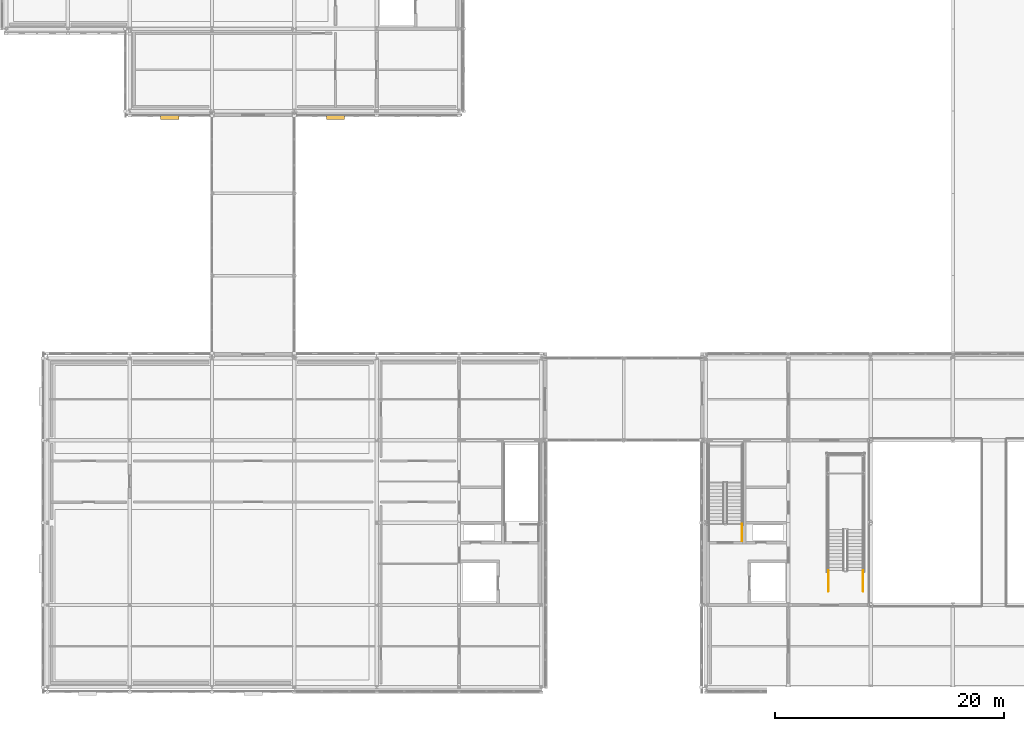
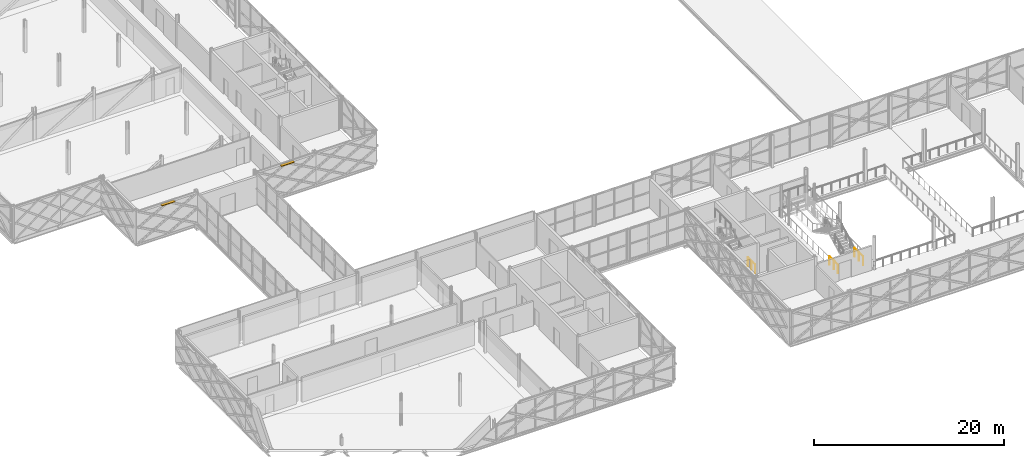
# One storey, part 118 of 126: 3 railings, 2 shading devices.
"""IFC4 building model written with IfcOpenShell, lengths in metres."""

from ifc_helpers import new_model, si_unit, direction, frame, origin, origin_2d, place, context, subcontext, project, spatial, rectangle, circle, extrude, material, type_object, element, save


model = new_model("IFC4")

# Units and contexts
model_context = context("Model", 3, precision=1e-05, world=origin(), true_north=direction((0.0, 1.0)))
body_context = subcontext(model_context, "Body", "Model", "MODEL_VIEW")
ifc_project = project(units=[si_unit("LENGTHUNIT", "METRE"), si_unit("AREAUNIT", "SQUARE_METRE"), si_unit("VOLUMEUNIT", "CUBIC_METRE"), si_unit("PLANEANGLEUNIT", "RADIAN"), si_unit("MASSUNIT", "GRAM", prefix="KILO")], contexts=[model_context])

# Site, building, storey
site_placement = place(None, origin())
site = spatial("IfcSite", under=ifc_project, at=site_placement, CompositionType="ELEMENT")
building_placement = place(site_placement, origin())
building = spatial("IfcBuilding", under=site, at=building_placement, Name="Zlatovets Crest Museum", CompositionType="ELEMENT")
storey_placement = place(building_placement, frame((0.0, 0.0, 8.699951171875)))
storey = spatial("IfcBuildingStorey", under=building, at=storey_placement, Name="L02", CompositionType="ELEMENT", Elevation=8.699951171875)

# Railings
ifc_material_1 = material(Name="Art Nouveau bronze and laminated glass atrium balustrade", Category="glass")
railing_type_1 = type_object("IfcRailingType", Name="AtriumGuard_AG01", PredefinedType="BALUSTRADE", material=ifc_material_1)
for number, where, name in (
    (1, (71.35009765625, 8.39990234375, 0.0), "L02 ST6 stair guard 8"),
    (2, (68.300048828125, 8.39990234375, 0.0), "L02 ST6 stair guard 9"),
):
    element("IfcRailing", number, at=place(storey_placement, frame(where)), inside=storey, type_object=railing_type_1, Name=name, PredefinedType="BALUSTRADE", context=body_context, shape_type="SweptSolid", body=[
        extrude(circle(Radius=0.02392578125, at=origin_2d()), frame((0.0, 0.0, 1.076171875), z_axis=(0.0, 1.0, 0.0), x_axis=(-1.0, 0.0, 0.0)), (0.0, 0.0, 1.0), 1.800048828125),
        extrude(circle(Radius=0.02099609375, at=origin_2d()), origin(), (0.0, 0.0, 1.0), 1.052001953125),
        extrude(circle(Radius=0.02099609375, at=origin_2d()), frame((0.0, 0.89990234375, 0.0)), (0.0, 0.0, 1.0), 1.052001953125),
        extrude(circle(Radius=0.02099609375, at=origin_2d()), frame((0.0, 1.800048828125, 0.0)), (0.0, 0.0, 1.0), 1.052001953125),
    ])
ifc_material_2 = material(Name="Painted steel safety guardrail", Category="steel")
railing_type_2 = type_object("IfcRailingType", Name="StairGuard_SG01", PredefinedType="GUARDRAIL", material=ifc_material_2)
railing_placement = place(storey_placement, frame((60.75, 12.800048828125, 0.0)))
element("IfcRailing", 3, at=railing_placement, inside=storey, type_object=railing_type_2, Name="L02 ST2 stair guard 7", PredefinedType="GUARDRAIL", context=body_context, shape_type="SweptSolid", body=[
    extrude(circle(Radius=0.02392578125, at=origin_2d()), frame((0.0, 0.0, 1.076171875), z_axis=(0.0, 1.0, 0.0), x_axis=(-1.0, 0.0, 0.0)), (0.0, 0.0, 1.0), 1.5),
    extrude(circle(Radius=0.02099609375, at=origin_2d()), origin(), (0.0, 0.0, 1.0), 1.052001953125),
    extrude(circle(Radius=0.02099609375, at=origin_2d()), frame((0.0, 0.75, 0.0)), (0.0, 0.0, 1.0), 1.052001953125),
    extrude(circle(Radius=0.02099609375, at=origin_2d()), frame((0.0, 1.5, 0.0)), (0.0, 0.0, 1.0), 1.052001953125),
])

# Shading devices
ifc_material_3 = material(Name="Patinated bronze solar-control louvre", Category="aluminium")
shading_device_type = type_object("IfcShadingDeviceType", Name="SunLouvre_SL01", PredefinedType="JALOUSIE", material=ifc_material_3)
for number, where, z_axis, x_axis, name in (
    (4, (10.699951171875, 49.860107421875, 4.010009765625), (0.0, 0.0, 1.0), (1.0, 0.0, 0.0), "Bronze Solar-Control Louvre Hood"),
    (5, (25.199951171875, 49.860107421875, 4.010009765625), (0.0, 0.0, 1.0), (1.0, 0.0, 0.0), "Bronze Solar-Control Louvre Hood"),
):
    element("IfcShadingDevice", number, at=place(storey_placement, frame(where, z_axis=z_axis, x_axis=x_axis)), inside=storey, type_object=shading_device_type, Name=name, PredefinedType="JALOUSIE", context=body_context, shape_type="SweptSolid", body=[
        extrude(rectangle(XDim=1.60009765625, YDim=0.35009765625, at=origin_2d()), origin(), (0.0, 0.0, 1.0), 0.080078125),
    ])

save(model, "model.ifc")
